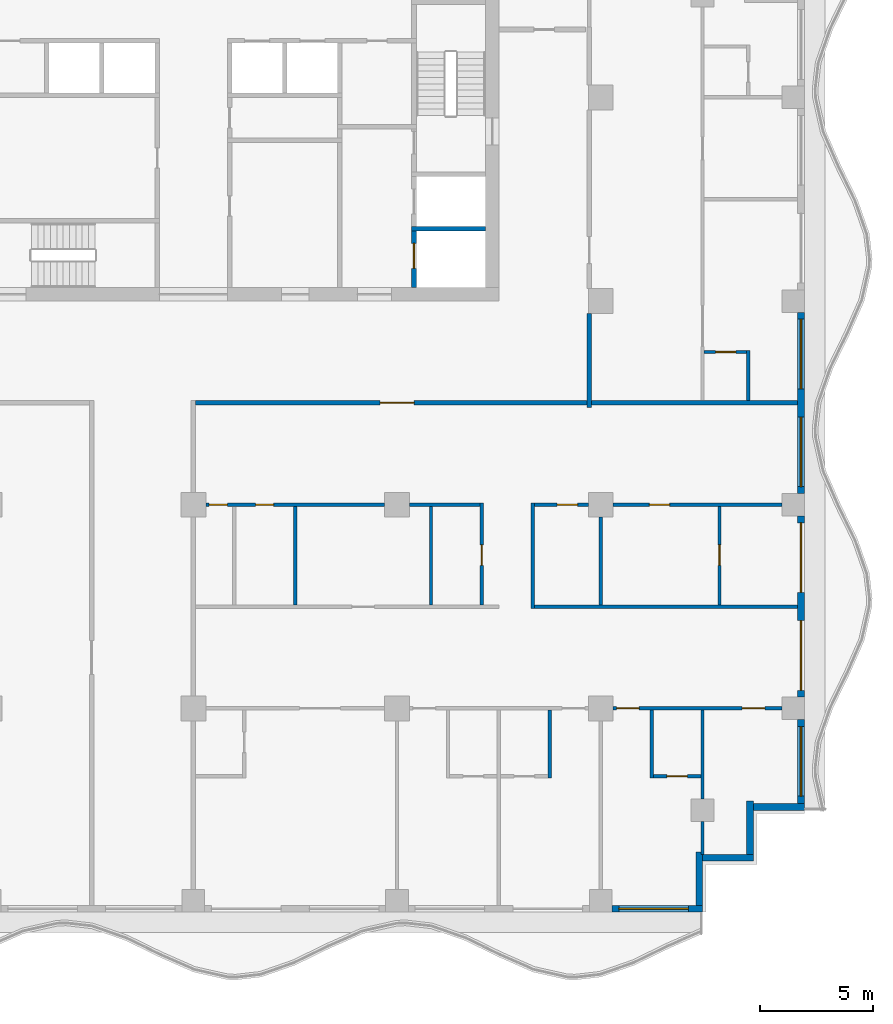
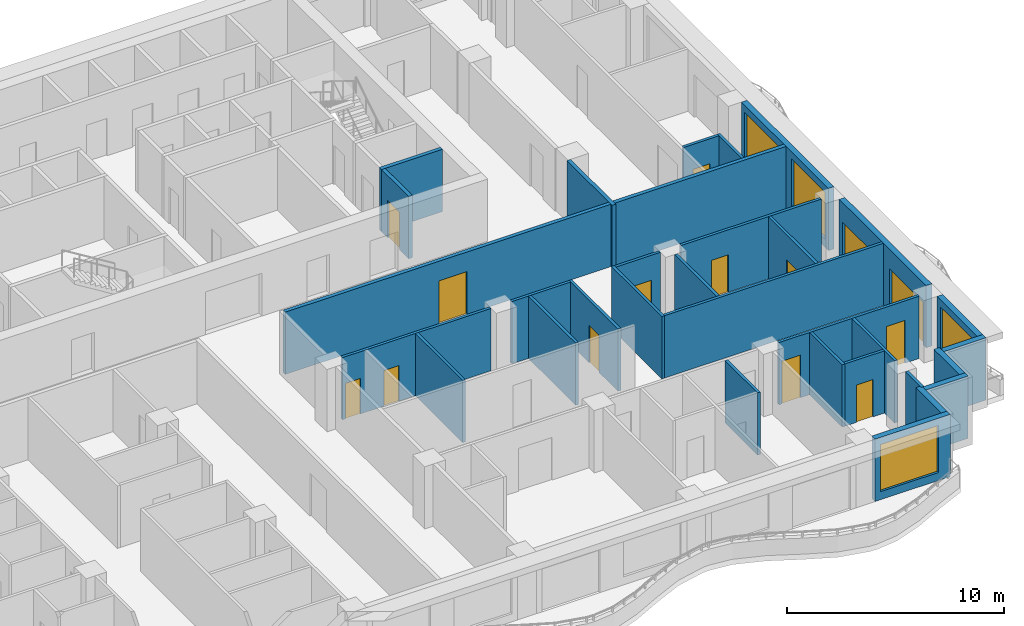
# One storey, part 4 of 11: 32 walls, 14 doors, 4 windows, 18 openings.
"""IFC4 building model written with IfcOpenShell, lengths in metres."""

from ifc_helpers import new_model, si_unit, direction, frame, frame_2d, origin, place, context, subcontext, project, spatial, rectangle, extrude, material, layer, layer_set, type_object, element, fill, save


model = new_model("IFC4")

# Units and contexts
model_context = context("Model", 3, precision=1e-05, world=origin(), true_north=direction((0.0, 1.0)))
body_context = subcontext(model_context, "Body", "Model", "MODEL_VIEW")
ifc_project = project(units=[si_unit("LENGTHUNIT", "METRE"), si_unit("AREAUNIT", "SQUARE_METRE"), si_unit("VOLUMEUNIT", "CUBIC_METRE"), si_unit("PLANEANGLEUNIT", "RADIAN"), si_unit("MASSUNIT", "GRAM", prefix="KILO")], contexts=[model_context])

# Site, building, storey
site_placement = place(None, origin())
site = spatial("IfcSite", under=ifc_project, at=site_placement, CompositionType="ELEMENT")
building_placement = place(site_placement, origin())
building = spatial("IfcBuilding", under=site, at=building_placement, Name="Orbiselva Terraces", CompositionType="ELEMENT")
storey_placement = place(building_placement, frame((0.0, 0.0, 199.6)))
storey = spatial("IfcBuildingStorey", under=building, at=storey_placement, Name="L50", CompositionType="ELEMENT", Elevation=199.6)

# Wall, opening, door
ifc_material_1 = material(Name="Concrete C60/75", Category="concrete")
ifc_layer_1 = layer(ifc_material_1, 0.2)
ifc_layer_set_1 = layer_set([ifc_layer_1], Name="Concrete C60/75")
wall_type_1 = type_object("IfcWallType", Name="CORE-WALL-SHEAR-200", PredefinedType="SHEAR", material=ifc_layer_set_1)
wall_1_placement = place(storey_placement, frame((9.75, 5.1, 0.0), z_axis=(0.0, 0.0, 1.0), x_axis=(0.0, 1.0, 0.0)))
wall_1 = element("IfcWall", 1, at=wall_1_placement, inside=storey, type_object=wall_type_1, Name="L50 core wall 36", PredefinedType="SHEAR", context=body_context, shape_type="SweptSolid", body=[
    extrude(rectangle(XDim=2.5, YDim=0.2, at=frame_2d((1.25, 0.0))), origin(), (0.0, 0.0, 1.0), 3.5),
])
opening_1_placement = place(wall_1_placement, frame((0.85, 0.0, 0.0)))
opening_1 = element("IfcOpeningElement", 2, at=opening_1_placement, cuts=wall_1, Name="Opening LD-FF1", PredefinedType="OPENING", context=body_context, shape_type="SweptSolid", body=[
    extrude(rectangle(XDim=1.1, YDim=2.1, at=frame_2d((0.55, 1.05))), frame((0.0, 0.11, 0.0), z_axis=(0.0, -1.0, 0.0), x_axis=(1.0, 0.0, 0.0)), (0.0, 0.0, 1.0), 0.22),
])
ifc_material_2 = material(Name="Stainless steel landing door", Category="steel")
door_type_1 = type_object("IfcDoorType", Name="LANDING DOOR 1100", OperationType="SLIDING_TO_LEFT", PredefinedType="DOOR", material=ifc_material_2)
door_1_placement = place(opening_1_placement, origin())
door_1 = element("IfcDoor", 3, at=door_1_placement, inside=storey, type_object=door_type_1, Name="L50 landing door FF1", OperationType="SLIDING_TO_RIGHT", OverallHeight=2.1, OverallWidth=1.1, PredefinedType="DOOR", context=body_context, shape_type="SweptSolid", body=[
    extrude(rectangle(XDim=1.1, YDim=2.1, at=frame_2d((0.55, 1.05))), frame((0.0, 0.025, 0.0), z_axis=(0.0, -1.0, 0.0), x_axis=(1.0, 0.0, 0.0)), (0.0, 0.0, 1.0), 0.05),
])
fill(opening_1, door_1)

# Wall
wall_2_placement = place(storey_placement, frame((9.65, 7.7, 0.0), z_axis=(0.0, 0.0, 1.0), x_axis=(1.0, 0.0, 0.0)))
element("IfcWall", 4, at=wall_2_placement, inside=storey, type_object=wall_type_1, Name="L50 core wall 37", PredefinedType="SHEAR", context=body_context, shape_type="SweptSolid", body=[
    extrude(rectangle(XDim=3.25, YDim=0.2, at=frame_2d((1.625, 0.0))), origin(), (0.0, 0.0, 1.0), 3.5),
])

# Wall, opening, window
ifc_material_3 = material(Name="Terracotta cladding on masonry backing", Category="masonry")
ifc_layer_2 = layer(ifc_material_3, 0.3)
ifc_layer_set_2 = layer_set([ifc_layer_2], Name="Terracotta cladding on masonry backing")
wall_type_2 = type_object("IfcWallType", Name="ENV-WALL-TERRACOTTA-300", PredefinedType="SOLIDWALL", material=ifc_layer_set_2)
wall_3_placement = place(storey_placement, frame((22.5, -22.35, 0.0), z_axis=(0.0, 0.0, 1.0), x_axis=(-1.0, 0.0, 0.0)))
wall_3 = element("IfcWall", 5, at=wall_3_placement, inside=storey, type_object=wall_type_2, Name="Facade wall L50 S", PredefinedType="SOLIDWALL", context=body_context, shape_type="SweptSolid", body=[
    extrude(rectangle(XDim=4.0, YDim=0.3, at=frame_2d((2.0, 0.0))), origin(), (0.0, 0.0, 1.0), 3.5),
])
opening_2_placement = place(wall_3_placement, frame((0.625, 0.0, 0.45)))
opening_2 = element("IfcOpeningElement", 6, at=opening_2_placement, cuts=wall_3, Name="Opening WN15", PredefinedType="OPENING", context=body_context, shape_type="SweptSolid", body=[
    extrude(rectangle(XDim=3.075, YDim=2.65, at=frame_2d((1.5375, 1.325))), frame((0.0, 0.16, 0.0), z_axis=(0.0, -1.0, 0.0), x_axis=(1.0, 0.0, 0.0)), (0.0, 0.0, 1.0), 0.32),
])
ifc_material_4 = material(Name="Clear low-e glazing in aluminium frame", Category="aluminium")
window_type = type_object("IfcWindowType", Name="WINDOW 3075 X 2650 S450", PartitioningType="TRIPLE_PANEL_VERTICAL", PredefinedType="WINDOW", material=ifc_material_4)
window_1_placement = place(opening_2_placement, origin())
window_1 = element("IfcWindow", 7, at=window_1_placement, inside=storey, type_object=window_type, Name="Window L50 S", OverallHeight=2.65, OverallWidth=3.075, PartitioningType="SINGLE_PANEL", PredefinedType="WINDOW", context=body_context, shape_type="SweptSolid", body=[
    extrude(rectangle(XDim=3.075, YDim=2.65, at=frame_2d((1.5375, 1.325))), frame((0.0, 0.03, 0.0), z_axis=(0.0, -1.0, 0.0), x_axis=(1.0, 0.0, 0.0)), (0.0, 0.0, 1.0), 0.06),
])
fill(opening_2, window_1)

# Walls
wall_4_placement = place(storey_placement, frame((22.35, -19.85, 0.0), z_axis=(0.0, 0.0, 1.0), x_axis=(0.0, -1.0, 0.0)))
element("IfcWall", 8, at=wall_4_placement, inside=storey, type_object=wall_type_2, Name="Facade wall L50 STEP", PredefinedType="SOLIDWALL", context=body_context, shape_type="SweptSolid", body=[
    extrude(rectangle(XDim=2.35, YDim=0.3, at=frame_2d((1.175, 0.0))), origin(), (0.0, 0.0, 1.0), 3.5),
])
wall_5_placement = place(storey_placement, frame((24.75, -20.1, 0.0), z_axis=(0.0, 0.0, 1.0), x_axis=(-1.0, 0.0, 0.0)))
element("IfcWall", 9, at=wall_5_placement, inside=storey, type_object=wall_type_2, Name="Facade wall L50 STEP", PredefinedType="SOLIDWALL", context=body_context, shape_type="SweptSolid", body=[
    extrude(rectangle(XDim=2.25, YDim=0.3, at=frame_2d((1.125, 0.0))), origin(), (0.0, 0.0, 1.0), 3.5),
])
wall_6_placement = place(storey_placement, frame((24.6, -17.6, 0.0), z_axis=(0.0, 0.0, 1.0), x_axis=(0.0, -1.0, 0.0)))
element("IfcWall", 10, at=wall_6_placement, inside=storey, type_object=wall_type_2, Name="Facade wall L50 STEP", PredefinedType="SOLIDWALL", context=body_context, shape_type="SweptSolid", body=[
    extrude(rectangle(XDim=2.35, YDim=0.3, at=frame_2d((1.175, 0.0))), origin(), (0.0, 0.0, 1.0), 3.5),
])
wall_7_placement = place(storey_placement, frame((27.0, -17.85, 0.0), z_axis=(0.0, 0.0, 1.0), x_axis=(-1.0, 0.0, 0.0)))
element("IfcWall", 11, at=wall_7_placement, inside=storey, type_object=wall_type_2, Name="Facade wall L50 STEP", PredefinedType="SOLIDWALL", context=body_context, shape_type="SweptSolid", body=[
    extrude(rectangle(XDim=2.25, YDim=0.3, at=frame_2d((1.125, 0.0))), origin(), (0.0, 0.0, 1.0), 3.5),
])

# Wall, opening, window
wall_8_placement = place(storey_placement, frame((26.85, -14.0, 0.0), z_axis=(0.0, 0.0, 1.0), x_axis=(0.0, -1.0, 0.0)))
wall_8 = element("IfcWall", 12, at=wall_8_placement, inside=storey, type_object=wall_type_2, Name="Facade wall L50 E", PredefinedType="SOLIDWALL", context=body_context, shape_type="SweptSolid", body=[
    extrude(rectangle(XDim=3.7, YDim=0.3, at=frame_2d((1.85, 0.0))), origin(), (0.0, 0.0, 1.0), 3.5),
])
opening_3_placement = place(wall_8_placement, frame((0.3, 0.0, 0.45)))
opening_3 = element("IfcOpeningElement", 13, at=opening_3_placement, cuts=wall_8, Name="Opening WN15", PredefinedType="OPENING", context=body_context, shape_type="SweptSolid", body=[
    extrude(rectangle(XDim=3.075, YDim=2.65, at=frame_2d((1.5375, 1.325))), frame((0.0, 0.16, 0.0), z_axis=(0.0, -1.0, 0.0), x_axis=(1.0, 0.0, 0.0)), (0.0, 0.0, 1.0), 0.32),
])
window_2_placement = place(opening_3_placement, origin())
window_2 = element("IfcWindow", 14, at=window_2_placement, inside=storey, type_object=window_type, Name="Window L50 E", OverallHeight=2.65, OverallWidth=3.075, PartitioningType="SINGLE_PANEL", PredefinedType="WINDOW", context=body_context, shape_type="SweptSolid", body=[
    extrude(rectangle(XDim=3.075, YDim=2.65, at=frame_2d((1.5375, 1.325))), frame((0.0, 0.03, 0.0), z_axis=(0.0, -1.0, 0.0), x_axis=(1.0, 0.0, 0.0)), (0.0, 0.0, 1.0), 0.06),
])
fill(opening_3, window_2)

# Wall, openings, doors
wall_9_placement = place(storey_placement, frame((26.85, -5.0, 0.0), z_axis=(0.0, 0.0, 1.0), x_axis=(0.0, -1.0, 0.0)))
wall_9 = element("IfcWall", 15, at=wall_9_placement, inside=storey, type_object=wall_type_2, Name="Facade wall L50 E", PredefinedType="SOLIDWALL", context=body_context, shape_type="SweptSolid", body=[
    extrude(rectangle(XDim=8.0, YDim=0.3, at=frame_2d((4.0, 0.0))), origin(), (0.0, 0.0, 1.0), 3.5),
])
opening_4_placement = place(wall_9_placement, frame((4.625, 0.0, 0.0)))
opening_4 = element("IfcOpeningElement", 16, at=opening_4_placement, cuts=wall_9, Name="Opening Z4-B-E14", PredefinedType="OPENING", context=body_context, shape_type="SweptSolid", body=[
    extrude(rectangle(XDim=3.075, YDim=2.4, at=frame_2d((1.5375, 1.2))), frame((0.0, 0.16, 0.0), z_axis=(0.0, -1.0, 0.0), x_axis=(1.0, 0.0, 0.0)), (0.0, 0.0, 1.0), 0.32),
])
opening_5_placement = place(wall_9_placement, frame((0.3, 0.0, 0.0)))
opening_5 = element("IfcOpeningElement", 17, at=opening_5_placement, cuts=wall_9, Name="Opening Z4-B-E15", PredefinedType="OPENING", context=body_context, shape_type="SweptSolid", body=[
    extrude(rectangle(XDim=3.075, YDim=2.4, at=frame_2d((1.5375, 1.2))), frame((0.0, 0.16, 0.0), z_axis=(0.0, -1.0, 0.0), x_axis=(1.0, 0.0, 0.0)), (0.0, 0.0, 1.0), 0.32),
])
door_type_2 = type_object("IfcDoorType", Name="BALCONY DOOR 3075 X 2400", OperationType="DOUBLE_DOOR_SLIDING", PredefinedType="DOOR", material=ifc_material_4)
door_2_placement = place(opening_4_placement, origin())
door_2 = element("IfcDoor", 18, at=door_2_placement, inside=storey, type_object=door_type_2, Name="Z4-B-E14", OperationType="SINGLE_SWING_LEFT", OverallHeight=2.4, OverallWidth=3.075, PredefinedType="DOOR", context=body_context, shape_type="SweptSolid", body=[
    extrude(rectangle(XDim=3.075, YDim=2.4, at=frame_2d((1.5375, 1.2))), frame((0.0, 0.025, 0.0), z_axis=(0.0, -1.0, 0.0), x_axis=(1.0, 0.0, 0.0)), (0.0, 0.0, 1.0), 0.05),
])
fill(opening_4, door_2)
door_3_placement = place(opening_5_placement, origin())
door_3 = element("IfcDoor", 19, at=door_3_placement, inside=storey, type_object=door_type_2, Name="Z4-B-E15", OperationType="SINGLE_SWING_LEFT", OverallHeight=2.4, OverallWidth=3.075, PredefinedType="DOOR", context=body_context, shape_type="SweptSolid", body=[
    extrude(rectangle(XDim=3.075, YDim=2.4, at=frame_2d((1.5375, 1.2))), frame((0.0, 0.025, 0.0), z_axis=(0.0, -1.0, 0.0), x_axis=(1.0, 0.0, 0.0)), (0.0, 0.0, 1.0), 0.05),
])
fill(opening_5, door_3)

# Wall, openings, windows
wall_10_placement = place(storey_placement, frame((26.85, 4.0, 0.0), z_axis=(0.0, 0.0, 1.0), x_axis=(0.0, -1.0, 0.0)))
wall_10 = element("IfcWall", 20, at=wall_10_placement, inside=storey, type_object=wall_type_2, Name="Facade wall L50 E", PredefinedType="SOLIDWALL", context=body_context, shape_type="SweptSolid", body=[
    extrude(rectangle(XDim=8.0, YDim=0.3, at=frame_2d((4.0, 0.0))), origin(), (0.0, 0.0, 1.0), 3.5),
])
opening_6_placement = place(wall_10_placement, frame((4.625, 0.0, 0.45)))
opening_6 = element("IfcOpeningElement", 21, at=opening_6_placement, cuts=wall_10, Name="Opening WN15", PredefinedType="OPENING", context=body_context, shape_type="SweptSolid", body=[
    extrude(rectangle(XDim=3.075, YDim=2.65, at=frame_2d((1.5375, 1.325))), frame((0.0, 0.16, 0.0), z_axis=(0.0, -1.0, 0.0), x_axis=(1.0, 0.0, 0.0)), (0.0, 0.0, 1.0), 0.32),
])
opening_7_placement = place(wall_10_placement, frame((0.3, 0.0, 0.45)))
opening_7 = element("IfcOpeningElement", 22, at=opening_7_placement, cuts=wall_10, Name="Opening WN15", PredefinedType="OPENING", context=body_context, shape_type="SweptSolid", body=[
    extrude(rectangle(XDim=3.075, YDim=2.65, at=frame_2d((1.5375, 1.325))), frame((0.0, 0.16, 0.0), z_axis=(0.0, -1.0, 0.0), x_axis=(1.0, 0.0, 0.0)), (0.0, 0.0, 1.0), 0.32),
])
window_3_placement = place(opening_6_placement, origin())
window_3 = element("IfcWindow", 23, at=window_3_placement, inside=storey, type_object=window_type, Name="Window L50 E", OverallHeight=2.65, OverallWidth=3.075, PartitioningType="SINGLE_PANEL", PredefinedType="WINDOW", context=body_context, shape_type="SweptSolid", body=[
    extrude(rectangle(XDim=3.075, YDim=2.65, at=frame_2d((1.5375, 1.325))), frame((0.0, 0.03, 0.0), z_axis=(0.0, -1.0, 0.0), x_axis=(1.0, 0.0, 0.0)), (0.0, 0.0, 1.0), 0.06),
])
fill(opening_6, window_3)
window_4_placement = place(opening_7_placement, origin())
window_4 = element("IfcWindow", 24, at=window_4_placement, inside=storey, type_object=window_type, Name="Window L50 E", OverallHeight=2.65, OverallWidth=3.075, PartitioningType="SINGLE_PANEL", PredefinedType="WINDOW", context=body_context, shape_type="SweptSolid", body=[
    extrude(rectangle(XDim=3.075, YDim=2.65, at=frame_2d((1.5375, 1.325))), frame((0.0, 0.03, 0.0), z_axis=(0.0, -1.0, 0.0), x_axis=(1.0, 0.0, 0.0)), (0.0, 0.0, 1.0), 0.06),
])
fill(opening_7, window_4)

# Wall, opening, door
ifc_material_5 = material(Name="Plasterboard on steel stud partition", Category="steel")
ifc_layer_3 = layer(ifc_material_5, 0.2)
ifc_layer_set_3 = layer_set([ifc_layer_3], Name="Plasterboard on steel stud partition")
wall_type_3 = type_object("IfcWallType", Name="UNIT-ENTRANCE-WALL-200", PredefinedType="PARTITIONING", material=ifc_layer_set_3)
wall_11_placement = place(storey_placement, frame((17.4, 0.0, 0.0), z_axis=(0.0, 0.0, 1.0), x_axis=(-1.0, 0.0, 0.0)))
wall_11 = element("IfcWall", 25, at=wall_11_placement, inside=storey, type_object=wall_type_3, Name="PARTITION L50-030", PredefinedType="PARTITIONING", context=body_context, shape_type="SweptSolid", body=[
    extrude(rectangle(XDim=17.3, YDim=0.2, at=frame_2d((8.65, 0.0))), origin(), (0.0, 0.0, 1.0), 3.5),
])
opening_8_placement = place(wall_11_placement, frame((7.65, 0.0, 0.0)))
opening_8 = element("IfcOpeningElement", 26, at=opening_8_placement, cuts=wall_11, Name="Opening Z4-B-30", PredefinedType="OPENING", context=body_context, shape_type="SweptSolid", body=[
    extrude(rectangle(XDim=1.5, YDim=2.4, at=frame_2d((0.75, 1.2))), frame((0.0, 0.11, 0.0), z_axis=(0.0, -1.0, 0.0), x_axis=(1.0, 0.0, 0.0)), (0.0, 0.0, 1.0), 0.22),
])
ifc_material_6 = material(Name="Painted timber door leaf", Category="wood")
door_type_3 = type_object("IfcDoorType", Name="ENTRANCE DOUBLE DOOR 1500", OperationType="NOTDEFINED", PredefinedType="DOOR", material=ifc_material_6)
door_4_placement = place(opening_8_placement, origin())
door_4 = element("IfcDoor", 27, at=door_4_placement, inside=storey, type_object=door_type_3, Name="Z4-B-30", OperationType="DOUBLE_DOOR_SINGLE_SWING", OverallHeight=2.4, OverallWidth=1.5, PredefinedType="DOOR", context=body_context, shape_type="SweptSolid", body=[
    extrude(rectangle(XDim=1.5, YDim=2.4, at=frame_2d((0.75, 1.2))), frame((0.0, 0.025, 0.0), z_axis=(0.0, -1.0, 0.0), x_axis=(1.0, 0.0, 0.0)), (0.0, 0.0, 1.0), 0.05),
])
fill(opening_8, door_4)

# Wall
wall_12_placement = place(storey_placement, frame((17.5, -0.2, 0.0), z_axis=(0.0, 0.0, 1.0), x_axis=(0.0, 1.0, 0.0)))
element("IfcWall", 28, at=wall_12_placement, inside=storey, type_object=wall_type_3, Name="PARTITION L50-075", PredefinedType="PARTITIONING", context=body_context, shape_type="SweptSolid", body=[
    extrude(rectangle(XDim=4.15, YDim=0.2, at=frame_2d((2.075, 0.0))), origin(), (0.0, 0.0, 1.0), 3.5),
])

# Wall, opening, door
ifc_layer_4 = layer(ifc_material_5, 0.15)
ifc_layer_set_4 = layer_set([ifc_layer_4], Name="Plasterboard on steel stud partition")
wall_type_4 = type_object("IfcWallType", Name="UNIT-PARTITION-150", PredefinedType="PARTITIONING", material=ifc_layer_set_4)
wall_13_placement = place(storey_placement, frame((20.325, -16.5, 0.0), z_axis=(0.0, 0.0, 1.0), x_axis=(1.0, 0.0, 0.0)))
wall_13 = element("IfcWall", 29, at=wall_13_placement, inside=storey, type_object=wall_type_4, Name="PARTITION L50-007", PredefinedType="PARTITIONING", context=body_context, shape_type="SweptSolid", body=[
    extrude(rectangle(XDim=2.1, YDim=0.15, at=frame_2d((1.05, 0.0))), origin(), (0.0, 0.0, 1.0), 3.5),
])
opening_9_placement = place(wall_13_placement, frame((0.6, 0.0, 0.0)))
opening_9 = element("IfcOpeningElement", 30, at=opening_9_placement, cuts=wall_13, Name="Opening Z4-B-45", PredefinedType="OPENING", context=body_context, shape_type="SweptSolid", body=[
    extrude(rectangle(XDim=0.9, YDim=2.1, at=frame_2d((0.45, 1.05))), frame((0.0, 0.085, 0.0), z_axis=(0.0, -1.0, 0.0), x_axis=(1.0, 0.0, 0.0)), (0.0, 0.0, 1.0), 0.17),
])
door_type_4 = type_object("IfcDoorType", Name="BATH DOOR 900", OperationType="NOTDEFINED", PredefinedType="DOOR", material=ifc_material_6)
door_5_placement = place(opening_9_placement, origin())
door_5 = element("IfcDoor", 31, at=door_5_placement, inside=storey, type_object=door_type_4, Name="Z4-B-45", OperationType="SINGLE_SWING_LEFT", OverallHeight=2.1, OverallWidth=0.9, PredefinedType="DOOR", context=body_context, shape_type="SweptSolid", body=[
    extrude(rectangle(XDim=0.9, YDim=2.1, at=frame_2d((0.45, 1.05))), frame((0.0, 0.025, 0.0), z_axis=(0.0, -1.0, 0.0), x_axis=(1.0, 0.0, 0.0)), (0.0, 0.0, 1.0), 0.05),
])
fill(opening_9, door_5)

# Wall, openings, doors
wall_14_placement = place(storey_placement, frame((26.0, -13.5, 0.0), z_axis=(0.0, 0.0, 1.0), x_axis=(-1.0, 0.0, 0.0)))
wall_14 = element("IfcWall", 32, at=wall_14_placement, inside=storey, type_object=wall_type_4, Name="PARTITION L50-013", PredefinedType="PARTITIONING", context=body_context, shape_type="SweptSolid", body=[
    extrude(rectangle(XDim=7.45, YDim=0.15, at=frame_2d((3.725, 0.0))), origin(), (0.0, 0.0, 1.0), 3.5),
])
opening_10_placement = place(wall_14_placement, frame((6.3, 0.0, 0.0)))
opening_10 = element("IfcOpeningElement", 33, at=opening_10_placement, cuts=wall_14, Name="Opening Z4-B-44", PredefinedType="OPENING", context=body_context, shape_type="SweptSolid", body=[
    extrude(rectangle(XDim=1.0, YDim=2.4, at=frame_2d((0.5, 1.2))), frame((0.0, 0.085, 0.0), z_axis=(0.0, -1.0, 0.0), x_axis=(1.0, 0.0, 0.0)), (0.0, 0.0, 1.0), 0.17),
])
opening_11_placement = place(wall_14_placement, frame((0.75, 0.0, 0.0)))
opening_11 = element("IfcOpeningElement", 34, at=opening_11_placement, cuts=wall_14, Name="Opening Z4-B-46", PredefinedType="OPENING", context=body_context, shape_type="SweptSolid", body=[
    extrude(rectangle(XDim=1.0, YDim=2.4, at=frame_2d((0.5, 1.2))), frame((0.0, 0.085, 0.0), z_axis=(0.0, -1.0, 0.0), x_axis=(1.0, 0.0, 0.0)), (0.0, 0.0, 1.0), 0.17),
])
door_type_5 = type_object("IfcDoorType", Name="ROOM DOOR 1000", OperationType="NOTDEFINED", PredefinedType="DOOR", material=ifc_material_6)
door_6_placement = place(opening_10_placement, origin())
door_6 = element("IfcDoor", 35, at=door_6_placement, inside=storey, type_object=door_type_5, Name="Z4-B-44", OperationType="SINGLE_SWING_RIGHT", OverallHeight=2.4, OverallWidth=1.0, PredefinedType="DOOR", context=body_context, shape_type="SweptSolid", body=[
    extrude(rectangle(XDim=1.0, YDim=2.4, at=frame_2d((0.5, 1.2))), frame((0.0, 0.025, 0.0), z_axis=(0.0, -1.0, 0.0), x_axis=(1.0, 0.0, 0.0)), (0.0, 0.0, 1.0), 0.05),
])
fill(opening_10, door_6)
door_7_placement = place(opening_11_placement, origin())
door_7 = element("IfcDoor", 36, at=door_7_placement, inside=storey, type_object=door_type_5, Name="Z4-B-46", OperationType="SINGLE_SWING_LEFT", OverallHeight=2.4, OverallWidth=1.0, PredefinedType="DOOR", context=body_context, shape_type="SweptSolid", body=[
    extrude(rectangle(XDim=1.0, YDim=2.4, at=frame_2d((0.5, 1.2))), frame((0.0, 0.025, 0.0), z_axis=(0.0, -1.0, 0.0), x_axis=(1.0, 0.0, 0.0)), (0.0, 0.0, 1.0), 0.05),
])
fill(opening_11, door_7)

# Wall
wall_15_placement = place(storey_placement, frame((15.075, -9.0, 0.0), z_axis=(0.0, 0.0, 1.0), x_axis=(1.0, 0.0, 0.0)))
element("IfcWall", 37, at=wall_15_placement, inside=storey, type_object=wall_type_4, Name="PARTITION L50-019", PredefinedType="PARTITIONING", context=body_context, shape_type="SweptSolid", body=[
    extrude(rectangle(XDim=11.625, YDim=0.15, at=frame_2d((5.8125, 0.0))), origin(), (0.0, 0.0, 1.0), 3.5),
])

# Wall, openings, doors
wall_16_placement = place(storey_placement, frame((8.45, -4.5, 0.0), z_axis=(0.0, 0.0, 1.0), x_axis=(-1.0, 0.0, 0.0)))
wall_16 = element("IfcWall", 38, at=wall_16_placement, inside=storey, type_object=wall_type_4, Name="PARTITION L50-024", PredefinedType="PARTITIONING", context=body_context, shape_type="SweptSolid", body=[
    extrude(rectangle(XDim=7.9, YDim=0.15, at=frame_2d((3.95, 0.0))), origin(), (0.0, 0.0, 1.0), 3.5),
])
opening_12_placement = place(wall_16_placement, frame((6.95, 0.0, 0.0)))
opening_12 = element("IfcOpeningElement", 39, at=opening_12_placement, cuts=wall_16, Name="Opening Z4-B-31", PredefinedType="OPENING", context=body_context, shape_type="SweptSolid", body=[
    extrude(rectangle(XDim=0.8, YDim=2.0, at=frame_2d((0.4, 1.0))), frame((0.0, 0.085, 0.0), z_axis=(0.0, -1.0, 0.0), x_axis=(1.0, 0.0, 0.0)), (0.0, 0.0, 1.0), 0.17),
])
opening_13_placement = place(wall_16_placement, frame((4.9, 0.0, 0.0)))
opening_13 = element("IfcOpeningElement", 40, at=opening_13_placement, cuts=wall_16, Name="Opening Z4-B-32", PredefinedType="OPENING", context=body_context, shape_type="SweptSolid", body=[
    extrude(rectangle(XDim=0.8, YDim=2.0, at=frame_2d((0.4, 1.0))), frame((0.0, 0.085, 0.0), z_axis=(0.0, -1.0, 0.0), x_axis=(1.0, 0.0, 0.0)), (0.0, 0.0, 1.0), 0.17),
])
door_type_6 = type_object("IfcDoorType", Name="STORE DOOR 800", OperationType="NOTDEFINED", PredefinedType="DOOR", material=ifc_material_6)
door_8_placement = place(opening_12_placement, origin())
door_8 = element("IfcDoor", 41, at=door_8_placement, inside=storey, type_object=door_type_6, Name="Z4-B-31", OperationType="SINGLE_SWING_RIGHT", OverallHeight=2.0, OverallWidth=0.8, PredefinedType="DOOR", context=body_context, shape_type="SweptSolid", body=[
    extrude(rectangle(XDim=0.8, YDim=2.0, at=frame_2d((0.4, 1.0))), frame((0.0, 0.025, 0.0), z_axis=(0.0, -1.0, 0.0), x_axis=(1.0, 0.0, 0.0)), (0.0, 0.0, 1.0), 0.05),
])
fill(opening_12, door_8)
door_9_placement = place(opening_13_placement, origin())
door_9 = element("IfcDoor", 42, at=door_9_placement, inside=storey, type_object=door_type_6, Name="Z4-B-32", OperationType="SINGLE_SWING_RIGHT", OverallHeight=2.0, OverallWidth=0.8, PredefinedType="DOOR", context=body_context, shape_type="SweptSolid", body=[
    extrude(rectangle(XDim=0.8, YDim=2.0, at=frame_2d((0.4, 1.0))), frame((0.0, 0.025, 0.0), z_axis=(0.0, -1.0, 0.0), x_axis=(1.0, 0.0, 0.0)), (0.0, 0.0, 1.0), 0.05),
])
fill(opening_13, door_9)

# Wall
wall_17_placement = place(storey_placement, frame((9.55, -4.5, 0.0), z_axis=(0.0, 0.0, 1.0), x_axis=(1.0, 0.0, 0.0)))
element("IfcWall", 43, at=wall_17_placement, inside=storey, type_object=wall_type_4, Name="PARTITION L50-025", PredefinedType="PARTITIONING", context=body_context, shape_type="SweptSolid", body=[
    extrude(rectangle(XDim=3.125, YDim=0.15, at=frame_2d((1.5625, 0.0))), origin(), (0.0, 0.0, 1.0), 3.5),
])

# Wall, opening, door
wall_18_placement = place(storey_placement, frame((17.45, -4.5, 0.0), z_axis=(0.0, 0.0, 1.0), x_axis=(-1.0, 0.0, 0.0)))
wall_18 = element("IfcWall", 44, at=wall_18_placement, inside=storey, type_object=wall_type_4, Name="PARTITION L50-026", PredefinedType="PARTITIONING", context=body_context, shape_type="SweptSolid", body=[
    extrude(rectangle(XDim=2.375, YDim=0.15, at=frame_2d((1.1875, 0.0))), origin(), (0.0, 0.0, 1.0), 3.5),
])
opening_14_placement = place(wall_18_placement, frame((0.475, 0.0, 0.0)))
opening_14 = element("IfcOpeningElement", 45, at=opening_14_placement, cuts=wall_18, Name="Opening Z4-B-35", PredefinedType="OPENING", context=body_context, shape_type="SweptSolid", body=[
    extrude(rectangle(XDim=0.9, YDim=2.1, at=frame_2d((0.45, 1.05))), frame((0.0, 0.085, 0.0), z_axis=(0.0, -1.0, 0.0), x_axis=(1.0, 0.0, 0.0)), (0.0, 0.0, 1.0), 0.17),
])
door_type_7 = type_object("IfcDoorType", Name="SERVICE DOOR 900", OperationType="NOTDEFINED", PredefinedType="DOOR", material=ifc_material_6)
door_10_placement = place(opening_14_placement, origin())
door_10 = element("IfcDoor", 46, at=door_10_placement, inside=storey, type_object=door_type_7, Name="Z4-B-35", OperationType="SINGLE_SWING_LEFT", OverallHeight=2.1, OverallWidth=0.9, PredefinedType="DOOR", context=body_context, shape_type="SweptSolid", body=[
    extrude(rectangle(XDim=0.9, YDim=2.1, at=frame_2d((0.45, 1.05))), frame((0.0, 0.025, 0.0), z_axis=(0.0, -1.0, 0.0), x_axis=(1.0, 0.0, 0.0)), (0.0, 0.0, 1.0), 0.05),
])
fill(opening_14, door_10)

wall_19_placement = place(storey_placement, frame((26.0, -4.5, 0.0), z_axis=(0.0, 0.0, 1.0), x_axis=(-1.0, 0.0, 0.0)))
wall_19 = element("IfcWall", 47, at=wall_19_placement, inside=storey, type_object=wall_type_4, Name="PARTITION L50-027", PredefinedType="PARTITIONING", context=body_context, shape_type="SweptSolid", body=[
    extrude(rectangle(XDim=7.45, YDim=0.15, at=frame_2d((3.725, 0.0))), origin(), (0.0, 0.0, 1.0), 3.5),
])
opening_15_placement = place(wall_19_placement, frame((4.95, 0.0, 0.0)))
opening_15 = element("IfcOpeningElement", 48, at=opening_15_placement, cuts=wall_19, Name="Opening Z4-B-36", PredefinedType="OPENING", context=body_context, shape_type="SweptSolid", body=[
    extrude(rectangle(XDim=0.9, YDim=2.1, at=frame_2d((0.45, 1.05))), frame((0.0, 0.085, 0.0), z_axis=(0.0, -1.0, 0.0), x_axis=(1.0, 0.0, 0.0)), (0.0, 0.0, 1.0), 0.17),
])
door_11_placement = place(opening_15_placement, origin())
door_11 = element("IfcDoor", 49, at=door_11_placement, inside=storey, type_object=door_type_7, Name="Z4-B-36", OperationType="SINGLE_SWING_RIGHT", OverallHeight=2.1, OverallWidth=0.9, PredefinedType="DOOR", context=body_context, shape_type="SweptSolid", body=[
    extrude(rectangle(XDim=0.9, YDim=2.1, at=frame_2d((0.45, 1.05))), frame((0.0, 0.025, 0.0), z_axis=(0.0, -1.0, 0.0), x_axis=(1.0, 0.0, 0.0)), (0.0, 0.0, 1.0), 0.05),
])
fill(opening_15, door_11)

wall_20_placement = place(storey_placement, frame((24.45, 2.25, 0.0), z_axis=(0.0, 0.0, 1.0), x_axis=(-1.0, 0.0, 0.0)))
wall_20 = element("IfcWall", 50, at=wall_20_placement, inside=storey, type_object=wall_type_4, Name="PARTITION L50-033", PredefinedType="PARTITIONING", context=body_context, shape_type="SweptSolid", body=[
    extrude(rectangle(XDim=1.875, YDim=0.15, at=frame_2d((0.9375, 0.0))), origin(), (0.0, 0.0, 1.0), 3.5),
])
opening_16_placement = place(wall_20_placement, frame((0.475, 0.0, 0.0)))
opening_16 = element("IfcOpeningElement", 51, at=opening_16_placement, cuts=wall_20, Name="Opening Z4-B-10", PredefinedType="OPENING", context=body_context, shape_type="SweptSolid", body=[
    extrude(rectangle(XDim=0.9, YDim=2.1, at=frame_2d((0.45, 1.05))), frame((0.0, 0.085, 0.0), z_axis=(0.0, -1.0, 0.0), x_axis=(1.0, 0.0, 0.0)), (0.0, 0.0, 1.0), 0.17),
])
door_12_placement = place(opening_16_placement, origin())
door_12 = element("IfcDoor", 52, at=door_12_placement, inside=storey, type_object=door_type_4, Name="Z4-B-10", OperationType="SINGLE_SWING_LEFT", OverallHeight=2.1, OverallWidth=0.9, PredefinedType="DOOR", context=body_context, shape_type="SweptSolid", body=[
    extrude(rectangle(XDim=0.9, YDim=2.1, at=frame_2d((0.45, 1.05))), frame((0.0, 0.025, 0.0), z_axis=(0.0, -1.0, 0.0), x_axis=(1.0, 0.0, 0.0)), (0.0, 0.0, 1.0), 0.05),
])
fill(opening_16, door_12)

# Walls
for number, where, z_axis, x_axis, name in (
    (53, (4.5, -8.925, 0.0), (0.0, 0.0, 1.0), (0.0, 1.0, 0.0), "PARTITION L50-067"),
    (54, (10.5, -8.925, 0.0), (0.0, 0.0, 1.0), (0.0, 1.0, 0.0), "PARTITION L50-069"),
):
    element("IfcWall", number, at=place(storey_placement, frame(where, z_axis=z_axis, x_axis=x_axis)), inside=storey, type_object=wall_type_4, Name=name, PredefinedType="PARTITIONING", context=body_context, shape_type="SweptSolid", body=[
        extrude(rectangle(XDim=4.35, YDim=0.15, at=frame_2d((2.175, 0.0))), origin(), (0.0, 0.0, 1.0), 3.5),
    ])

# Wall, opening, door
wall_21_placement = place(storey_placement, frame((12.75, -8.925, 0.0), z_axis=(0.0, 0.0, 1.0), x_axis=(0.0, 1.0, 0.0)))
wall_21 = element("IfcWall", 55, at=wall_21_placement, inside=storey, type_object=wall_type_4, Name="PARTITION L50-071", PredefinedType="PARTITIONING", context=body_context, shape_type="SweptSolid", body=[
    extrude(rectangle(XDim=4.5, YDim=0.15, at=frame_2d((2.25, 0.0))), origin(), (0.0, 0.0, 1.0), 3.5),
])
opening_17_placement = place(wall_21_placement, frame((1.75, 0.0, 0.0)))
opening_17 = element("IfcOpeningElement", 56, at=opening_17_placement, cuts=wall_21, Name="Opening Z4-B-34", PredefinedType="OPENING", context=body_context, shape_type="SweptSolid", body=[
    extrude(rectangle(XDim=0.9, YDim=2.1, at=frame_2d((0.45, 1.05))), frame((0.0, 0.085, 0.0), z_axis=(0.0, -1.0, 0.0), x_axis=(1.0, 0.0, 0.0)), (0.0, 0.0, 1.0), 0.17),
])
door_13_placement = place(opening_17_placement, origin())
door_13 = element("IfcDoor", 57, at=door_13_placement, inside=storey, type_object=door_type_4, Name="Z4-B-34", OperationType="SINGLE_SWING_LEFT", OverallHeight=2.1, OverallWidth=0.9, PredefinedType="DOOR", context=body_context, shape_type="SweptSolid", body=[
    extrude(rectangle(XDim=0.9, YDim=2.1, at=frame_2d((0.45, 1.05))), frame((0.0, 0.025, 0.0), z_axis=(0.0, -1.0, 0.0), x_axis=(1.0, 0.0, 0.0)), (0.0, 0.0, 1.0), 0.05),
])
fill(opening_17, door_13)

# Walls
wall_22_placement = place(storey_placement, frame((15.0, -9.075, 0.0), z_axis=(0.0, 0.0, 1.0), x_axis=(0.0, 1.0, 0.0)))
element("IfcWall", 58, at=wall_22_placement, inside=storey, type_object=wall_type_4, Name="PARTITION L50-073", PredefinedType="PARTITIONING", context=body_context, shape_type="SweptSolid", body=[
    extrude(rectangle(XDim=4.65, YDim=0.15, at=frame_2d((2.325, 0.0))), origin(), (0.0, 0.0, 1.0), 3.5),
])
wall_23_placement = place(storey_placement, frame((15.75, -16.575, 0.0), z_axis=(0.0, 0.0, 1.0), x_axis=(0.0, 1.0, 0.0)))
element("IfcWall", 59, at=wall_23_placement, inside=storey, type_object=wall_type_4, Name="PARTITION L50-074", PredefinedType="PARTITIONING", context=body_context, shape_type="SweptSolid", body=[
    extrude(rectangle(XDim=3.0, YDim=0.15, at=frame_2d((1.5, 0.0))), origin(), (0.0, 0.0, 1.0), 3.5),
])
wall_24_placement = place(storey_placement, frame((18.0, -8.925, 0.0), z_axis=(0.0, 0.0, 1.0), x_axis=(0.0, 1.0, 0.0)))
element("IfcWall", 60, at=wall_24_placement, inside=storey, type_object=wall_type_4, Name="PARTITION L50-080", PredefinedType="PARTITIONING", context=body_context, shape_type="SweptSolid", body=[
    extrude(rectangle(XDim=3.875, YDim=0.15, at=frame_2d((1.9375, 0.0))), origin(), (0.0, 0.0, 1.0), 3.5),
])
wall_25_placement = place(storey_placement, frame((20.25, -16.575, 0.0), z_axis=(0.0, 0.0, 1.0), x_axis=(0.0, 1.0, 0.0)))
element("IfcWall", 61, at=wall_25_placement, inside=storey, type_object=wall_type_4, Name="PARTITION L50-081", PredefinedType="PARTITIONING", context=body_context, shape_type="SweptSolid", body=[
    extrude(rectangle(XDim=3.0, YDim=0.15, at=frame_2d((1.5, 0.0))), origin(), (0.0, 0.0, 1.0), 3.5),
])
wall_26_placement = place(storey_placement, frame((22.5, -19.95, 0.0), z_axis=(0.0, 0.0, 1.0), x_axis=(0.0, 1.0, 0.0)))
element("IfcWall", 62, at=wall_26_placement, inside=storey, type_object=wall_type_4, Name="PARTITION L50-082", PredefinedType="PARTITIONING", context=body_context, shape_type="SweptSolid", body=[
    extrude(rectangle(XDim=1.45, YDim=0.15, at=frame_2d((0.725, 0.0))), origin(), (0.0, 0.0, 1.0), 3.5),
])
wall_27_placement = place(storey_placement, frame((22.5, -17.5, 0.0), z_axis=(0.0, 0.0, 1.0), x_axis=(0.0, 1.0, 0.0)))
element("IfcWall", 63, at=wall_27_placement, inside=storey, type_object=wall_type_4, Name="PARTITION L50-083", PredefinedType="PARTITIONING", context=body_context, shape_type="SweptSolid", body=[
    extrude(rectangle(XDim=3.925, YDim=0.15, at=frame_2d((1.9625, 0.0))), origin(), (0.0, 0.0, 1.0), 3.5),
])

# Wall, opening, door
wall_28_placement = place(storey_placement, frame((23.25, -4.575, 0.0), z_axis=(0.0, 0.0, 1.0), x_axis=(0.0, -1.0, 0.0)))
wall_28 = element("IfcWall", 64, at=wall_28_placement, inside=storey, type_object=wall_type_4, Name="PARTITION L50-086", PredefinedType="PARTITIONING", context=body_context, shape_type="SweptSolid", body=[
    extrude(rectangle(XDim=4.35, YDim=0.15, at=frame_2d((2.175, 0.0))), origin(), (0.0, 0.0, 1.0), 3.5),
])
opening_18_placement = place(wall_28_placement, frame((1.7, 0.0, 0.0)))
opening_18 = element("IfcOpeningElement", 65, at=opening_18_placement, cuts=wall_28, Name="Opening Z4-B-37", PredefinedType="OPENING", context=body_context, shape_type="SweptSolid", body=[
    extrude(rectangle(XDim=0.9, YDim=2.1, at=frame_2d((0.45, 1.05))), frame((0.0, 0.085, 0.0), z_axis=(0.0, -1.0, 0.0), x_axis=(1.0, 0.0, 0.0)), (0.0, 0.0, 1.0), 0.17),
])
door_14_placement = place(opening_18_placement, origin())
door_14 = element("IfcDoor", 66, at=door_14_placement, inside=storey, type_object=door_type_4, Name="Z4-B-37", OperationType="SINGLE_SWING_LEFT", OverallHeight=2.1, OverallWidth=0.9, PredefinedType="DOOR", context=body_context, shape_type="SweptSolid", body=[
    extrude(rectangle(XDim=0.9, YDim=2.1, at=frame_2d((0.45, 1.05))), frame((0.0, 0.025, 0.0), z_axis=(0.0, -1.0, 0.0), x_axis=(1.0, 0.0, 0.0)), (0.0, 0.0, 1.0), 0.05),
])
fill(opening_18, door_14)

# Walls
wall_29_placement = place(storey_placement, frame((24.525, 0.1, 0.0), z_axis=(0.0, 0.0, 1.0), x_axis=(0.0, 1.0, 0.0)))
element("IfcWall", 67, at=wall_29_placement, inside=storey, type_object=wall_type_4, Name="PARTITION L50-087", PredefinedType="PARTITIONING", context=body_context, shape_type="SweptSolid", body=[
    extrude(rectangle(XDim=2.225, YDim=0.15, at=frame_2d((1.1125, 0.0))), origin(), (0.0, 0.0, 1.0), 3.5),
])
ifc_layer_5 = layer(ifc_material_5, 0.2)
ifc_layer_set_5 = layer_set([ifc_layer_5], Name="Plasterboard on steel stud partition")
wall_type_5 = type_object("IfcWallType", Name="UNIT-PARTY-WALL-200", PredefinedType="PARTITIONING", material=ifc_layer_set_5)
wall_30_placement = place(storey_placement, frame((17.6, 0.0, 0.0), z_axis=(0.0, 0.0, 1.0), x_axis=(1.0, 0.0, 0.0)))
element("IfcWall", 68, at=wall_30_placement, inside=storey, type_object=wall_type_5, Name="PARTITION L50-032", PredefinedType="PARTITIONING", context=body_context, shape_type="SweptSolid", body=[
    extrude(rectangle(XDim=9.1, YDim=0.2, at=frame_2d((4.55, 0.0))), origin(), (0.0, 0.0, 1.0), 3.5),
])

save(model, "model.ifc")
